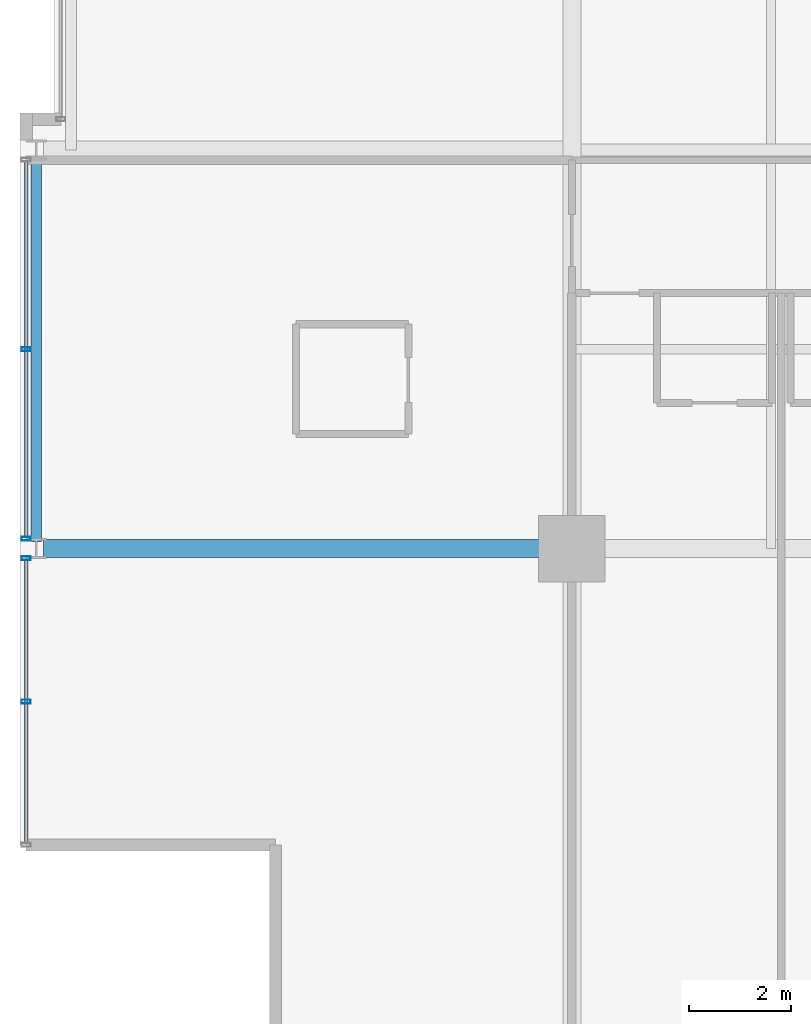
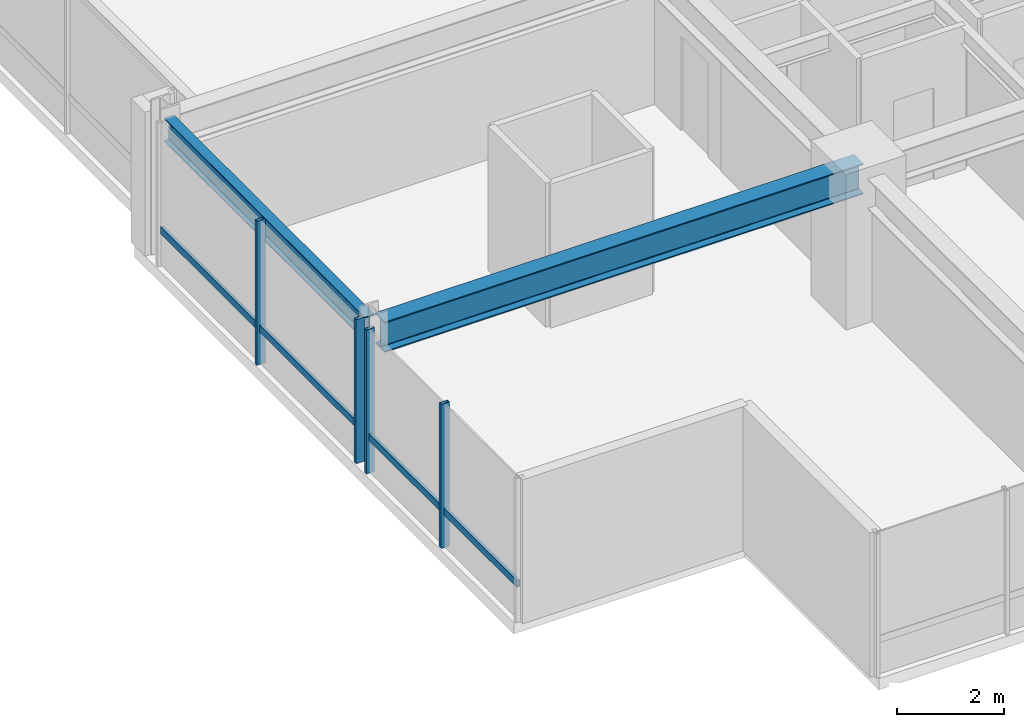
# One storey, part 4 of 32: 6 members, 2 beams, 2 elements without a shape of their own.
"""IFC4 building model written with IfcOpenShell, lengths in metres."""

from ifc_helpers import new_model, si_unit, direction, frame, origin, origin_2d, place, context, subcontext, project, spatial, hollow_rectangle, i_section, extrude, material, layer, layer_set, material_profile, profile_set, type_object, element, aggregate, save


model = new_model("IFC4")

# Units and contexts
model_context = context("Model", 3, precision=1e-05, world=origin(), true_north=direction((0.0, 1.0)))
body_context = subcontext(model_context, "Body", "Model", "MODEL_VIEW")
ifc_project = project(units=[si_unit("LENGTHUNIT", "METRE"), si_unit("AREAUNIT", "SQUARE_METRE"), si_unit("VOLUMEUNIT", "CUBIC_METRE"), si_unit("PLANEANGLEUNIT", "RADIAN"), si_unit("MASSUNIT", "GRAM", prefix="KILO")], contexts=[model_context])

# Site, building, storey
site_placement = place(None, origin())
site = spatial("IfcSite", under=ifc_project, at=site_placement, CompositionType="ELEMENT")
building_placement = place(site_placement, origin())
building = spatial("IfcBuilding", under=site, at=building_placement, Name="Drelvath Grand Hotel", CompositionType="ELEMENT")
storey_placement = place(building_placement, frame((0.0, 0.0, 193.0)))
storey = spatial("IfcBuildingStorey", under=building, at=storey_placement, Name="L50", CompositionType="ELEMENT", Elevation=193.0)

# Curtain wall, member
ifc_material_1 = material(Name="Brushed Pale-Silver Anodised Aluminium Frame", Category="aluminium")
ifc_layer = layer(ifc_material_1, 0.199951171875)
ifc_layer_set = layer_set([ifc_layer], Name="Brushed Pale-Silver Anodised Aluminium Frame")
curtain_wall_type = type_object("IfcCurtainWallType", Name="Stick Curtain Wall CW-04 Brushed Silver Upper-Mid", PredefinedType="NOTDEFINED", material=ifc_layer_set)
curtain_wall_1_placement = place(storey_placement, origin())
curtain_wall_1 = element("IfcCurtainWall", 1, at=curtain_wall_1_placement, inside=storey, type_object=curtain_wall_type, Name="L50 CW-04 Curtain Wall CW04-L50-WS1", PredefinedType="NOTDEFINED")
ifc_material_profile_1 = material_profile(ifc_material_1, hollow_rectangle(XDim=0.06494140625, YDim=0.159912109375, WallThickness=0.00390625, at=origin_2d()), Name="HSS160X65X4")
ifc_profile_set_1 = profile_set([ifc_material_profile_1], Name="Brushed Pale-Silver Anodised Aluminium Frame")
member_type_1 = type_object("IfcMemberType", Name="Curtain Wall Horizontal Transom CW-04 HSS160X65X4", PredefinedType="USERDEFINED", material=ifc_profile_set_1)
member_1_placement = place(storey_placement, frame((-26.8798828125, 5.0400390625, 0.822509765625), z_axis=(0.0, 1.0, 0.0), x_axis=(-1.0, 0.0, 0.0)))
member_1 = element("IfcMember", 2, at=member_1_placement, type_object=member_type_1, Name="CW04-L50-WS1 Sill Transom", ObjectType="TRANSOM", PredefinedType="USERDEFINED", context=body_context, shape_type="SweptSolid", body=[
    extrude(hollow_rectangle(XDim=0.06494140625, YDim=0.159912109375, WallThickness=0.00390625, at=origin_2d()), origin(), (0.0, 0.0, 1.0), 5.5283203125),
])

curtain_wall_2_placement = place(storey_placement, origin())
curtain_wall_2 = element("IfcCurtainWall", 3, at=curtain_wall_2_placement, inside=storey, type_object=curtain_wall_type, Name="L50 CW-04 Curtain Wall CW04-L50-WS2", PredefinedType="NOTDEFINED")
member_2_placement = place(storey_placement, frame((-26.8798828125, 11.03173828125, 0.822509765625), z_axis=(0.0, 1.0, 0.0), x_axis=(-1.0, 0.0, 0.0)))
member_2 = element("IfcMember", 4, at=member_2_placement, type_object=member_type_1, Name="CW04-L50-WS2 Sill Transom", ObjectType="TRANSOM", PredefinedType="USERDEFINED", context=body_context, shape_type="SweptSolid", body=[
    extrude(hollow_rectangle(XDim=0.06494140625, YDim=0.159912109375, WallThickness=0.00390625, at=origin_2d()), origin(), (0.0, 0.0, 1.0), 7.336669921875),
])

# Member
ifc_material_profile_2 = material_profile(ifc_material_1, hollow_rectangle(XDim=0.074951171875, YDim=0.179931640625, WallThickness=0.0048828125, at=origin_2d()), Name="HSS180X75X5")
ifc_profile_set_2 = profile_set([ifc_material_profile_2], Name="Brushed Pale-Silver Anodised Aluminium Frame")
member_type_2 = type_object("IfcMemberType", Name="Curtain Wall Vertical Mullion CW-04 HSS180X75X5", PredefinedType="MULLION", material=ifc_profile_set_2)
member_3_placement = place(storey_placement, frame((-26.8798828125, 7.80419921875, 0.0), z_axis=(0.0, 0.0, 1.0), x_axis=(0.0, 1.0, 0.0)))
member_3 = element("IfcMember", 5, at=member_3_placement, type_object=member_type_2, Name="CW04-L50-WS1 Mullion 2", PredefinedType="MULLION", context=body_context, shape_type="SweptSolid", body=[
    extrude(hollow_rectangle(XDim=0.074951171875, YDim=0.179931640625, WallThickness=0.0048828125, at=origin_2d()), origin(), (0.0, 0.0, 1.0), 3.2900390625),
])

member_4_placement = place(storey_placement, frame((-26.8798828125, 10.6083984375, 0.0), z_axis=(0.0, 0.0, 1.0), x_axis=(0.0, 1.0, 0.0)))
member_4 = element("IfcMember", 6, at=member_4_placement, type_object=member_type_2, Name="CW04-L50-WS1 Mullion 3", PredefinedType="MULLION", context=body_context, shape_type="SweptSolid", body=[
    extrude(hollow_rectangle(XDim=0.074951171875, YDim=0.179931640625, WallThickness=0.0048828125, at=origin_2d()), origin(), (0.0, 0.0, 1.0), 3.2900390625),
])

aggregate(curtain_wall_1, [member_3, member_4, member_1])

member_5_placement = place(storey_placement, frame((-26.8798828125, 10.99169921875, 0.0), z_axis=(0.0, 0.0, 1.0), x_axis=(0.0, 1.0, 0.0)))
member_5 = element("IfcMember", 7, at=member_5_placement, type_object=member_type_2, Name="CW04-L50-WS2 Mullion 1", PredefinedType="MULLION", context=body_context, shape_type="SweptSolid", body=[
    extrude(hollow_rectangle(XDim=0.074951171875, YDim=0.179931640625, WallThickness=0.0048828125, at=origin_2d()), origin(), (0.0, 0.0, 1.0), 3.2900390625),
])

member_6_placement = place(storey_placement, frame((-26.8798828125, 14.7001953125, 0.0), z_axis=(0.0, 0.0, 1.0), x_axis=(0.0, 1.0, 0.0)))
member_6 = element("IfcMember", 8, at=member_6_placement, type_object=member_type_2, Name="CW04-L50-WS2 Mullion 2", PredefinedType="MULLION", context=body_context, shape_type="SweptSolid", body=[
    extrude(hollow_rectangle(XDim=0.074951171875, YDim=0.179931640625, WallThickness=0.0048828125, at=origin_2d()), origin(), (0.0, 0.0, 1.0), 3.2900390625),
])

aggregate(curtain_wall_2, [member_5, member_6, member_2])

# Beams
ifc_material_2 = material(Name="Steel ASTM A992 Gr 50", Category="steel")
ifc_material_profile_3 = material_profile(ifc_material_2, i_section(OverallWidth=0.210205078125, OverallDepth=0.53662109375, WebThickness=0.010986328125, FlangeThickness=0.017333984375, FilletRadius=0.01806640625, at=origin_2d()), Name="W21X68")
ifc_profile_set_3 = profile_set([ifc_material_profile_3], Name="Steel ASTM A992 Gr 50")
beam_type_1 = type_object("IfcBeamType", Name="Perimeter Spandrel Beam W21X68", PredefinedType="SPANDREL", material=ifc_profile_set_3)
beam_1_placement = place(storey_placement, frame((-26.679931640625, 10.93994140625, 3.021484375), z_axis=(0.0, 1.0, 0.0), x_axis=(-1.0, 0.0, 0.0)))
element("IfcBeam", 9, at=beam_1_placement, inside=storey, type_object=beam_type_1, Name="L50 Spandrel West S", PredefinedType="SPANDREL", context=body_context, shape_type="SweptSolid", body=[
    extrude(i_section(OverallWidth=0.210205078125, OverallDepth=0.53662109375, WebThickness=0.010986328125, FlangeThickness=0.017333984375, FilletRadius=0.01806640625, at=origin_2d()), origin(), (0.0, 0.0, 1.0), 7.52001953125),
])
ifc_material_profile_4 = material_profile(ifc_material_2, i_section(OverallWidth=0.354736328125, OverallDepth=0.695556640625, WebThickness=0.015380859375, FlangeThickness=0.025146484375, FilletRadius=0.02392578125, at=origin_2d()), Name="W27X146")
ifc_profile_set_4 = profile_set([ifc_material_profile_4], Name="Steel ASTM A992 Gr 50")
beam_type_2 = type_object("IfcBeamType", Name="Primary Floor Girder W27X146", PredefinedType="BEAM", material=ifc_profile_set_4)
beam_2_placement = place(storey_placement, frame((-26.5400390625, 10.800048828125, 2.9423828125), z_axis=(1.0, 0.0, 0.0), x_axis=(0.0, 1.0, 0.0)))
element("IfcBeam", 10, at=beam_2_placement, inside=storey, type_object=beam_type_2, Name="L50 West Grid Girder C", PredefinedType="BEAM", context=body_context, shape_type="SweptSolid", body=[
    extrude(i_section(OverallWidth=0.354736328125, OverallDepth=0.695556640625, WebThickness=0.015380859375, FlangeThickness=0.025146484375, FilletRadius=0.02392578125, at=origin_2d()), origin(), (0.0, 0.0, 1.0), 10.340087890625),
])

save(model, "model.ifc")
